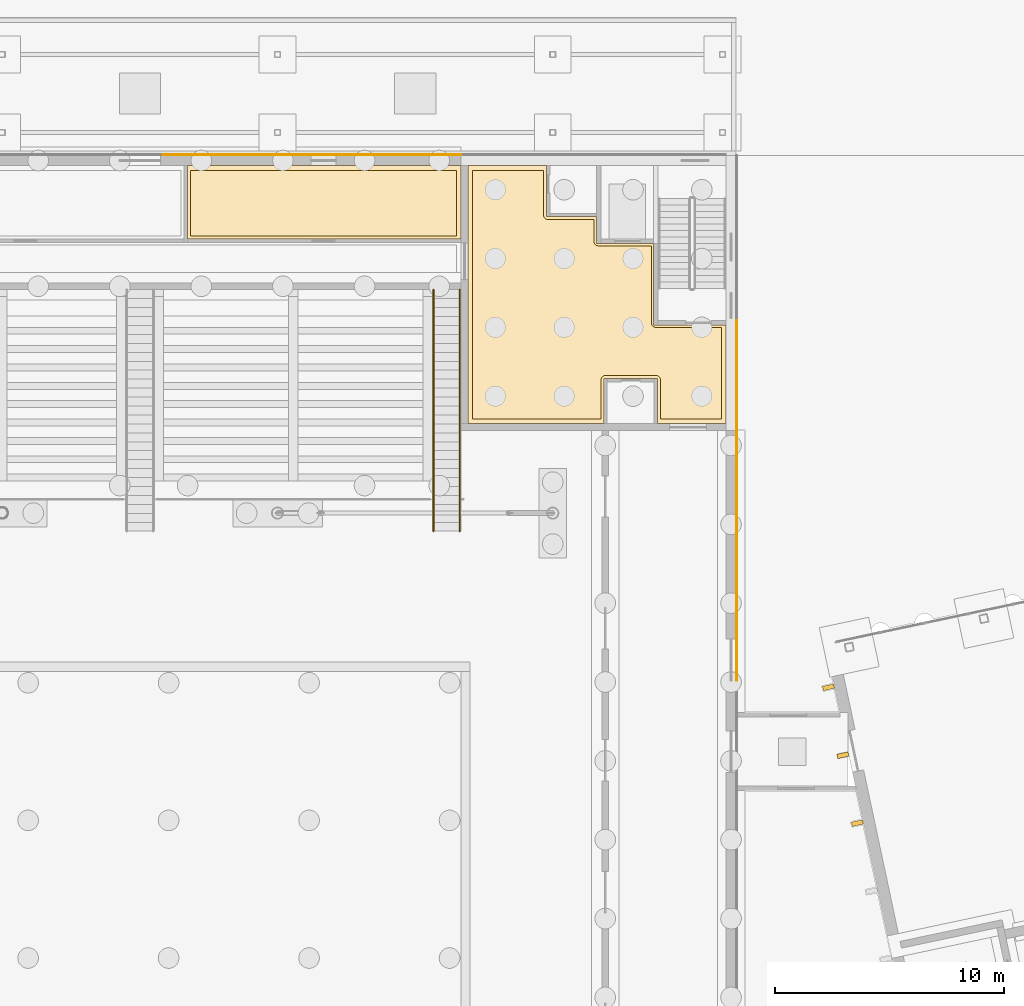
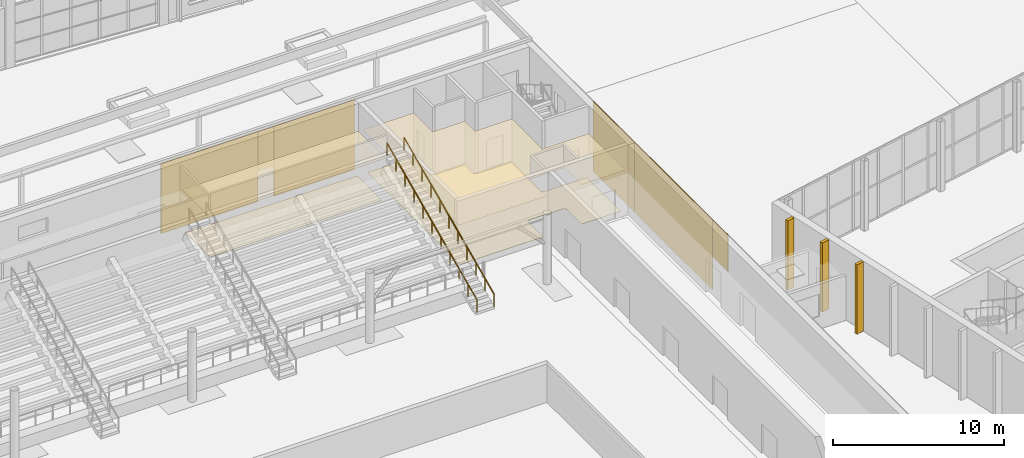
# One storey, part 150 of 157: 10 coverings, 3 shading devices, 2 railings.
"""IFC4 building model written with IfcOpenShell, lengths in metres."""

from ifc_helpers import new_model, si_unit, direction, frame, origin, origin_2d, place, context, subcontext, project, spatial, polyline, circle, outline, extrude, material, layer, layer_set, type_object, element, save


model = new_model("IFC4")

# Units and contexts
model_context = context("Model", 3, precision=1e-05, world=origin(), true_north=direction((0.0, 1.0)))
body_context = subcontext(model_context, "Body", "Model", "MODEL_VIEW")
ifc_project = project(units=[si_unit("LENGTHUNIT", "METRE"), si_unit("AREAUNIT", "SQUARE_METRE"), si_unit("VOLUMEUNIT", "CUBIC_METRE"), si_unit("PLANEANGLEUNIT", "RADIAN"), si_unit("MASSUNIT", "GRAM", prefix="KILO")], contexts=[model_context])

# Site, building, storey
site_placement = place(None, origin())
site = spatial("IfcSite", under=ifc_project, at=site_placement, CompositionType="ELEMENT")
building_placement = place(site_placement, origin())
building = spatial("IfcBuilding", under=site, at=building_placement, Name="Windward Yard Aquatics Centre", CompositionType="ELEMENT")
storey_placement = place(building_placement, origin())
storey = spatial("IfcBuildingStorey", under=building, at=storey_placement, Name="L00", CompositionType="ELEMENT", Elevation=0.0)

# Shading devices
ifc_material_1 = material(Name="Aluminium fin, powder coated", Category="aluminium")
shading_device_type = type_object("IfcShadingDeviceType", Name="D vertical fin 200x500", PredefinedType="USERDEFINED", material=ifc_material_1)
shading_device_1_placement = place(storey_placement, origin())
element("IfcShadingDevice", 1, at=shading_device_1_placement, inside=storey, type_object=shading_device_type, Name="Vertical fin D.W.W.L00.1.9", ObjectType="FIN", PredefinedType="USERDEFINED", context=body_context, shape_type="SweptSolid", body=[
    extrude(outline(polyline([(157.01708984375, 66.927001953125), (157.05859375, 66.731201171875), (157.547607421875, 66.835205078125), (157.506103515625, 67.031005859375), (157.01708984375, 66.927001953125)])), origin(), (0.0, 0.0, 1.0), 4.949951171875),
])
shading_device_2_placement = place(storey_placement, origin())
element("IfcShadingDevice", 2, at=shading_device_2_placement, inside=storey, type_object=shading_device_type, Name="Vertical fin D.W.W.L00.1.10", ObjectType="FIN", PredefinedType="USERDEFINED", context=body_context, shape_type="SweptSolid", body=[
    extrude(outline(polyline([(156.3876953125, 69.887939453125), (156.42919921875, 69.6923828125), (156.918212890625, 69.79638671875), (156.876708984375, 69.991943359375), (156.3876953125, 69.887939453125)])), origin(), (0.0, 0.0, 1.0), 4.949951171875),
])
shading_device_3_placement = place(storey_placement, origin())
element("IfcShadingDevice", 3, at=shading_device_3_placement, inside=storey, type_object=shading_device_type, Name="Vertical fin D.W.W.L00.1.11", ObjectType="FIN", PredefinedType="USERDEFINED", context=body_context, shape_type="SweptSolid", body=[
    extrude(outline(polyline([(155.75830078125, 72.84912109375), (155.7998046875, 72.653564453125), (156.288818359375, 72.757568359375), (156.247314453125, 72.953125), (155.75830078125, 72.84912109375)])), origin(), (0.0, 0.0, 1.0), 4.949951171875),
])

# Coverings
ifc_material_2 = material(Name="Polished screed")
ifc_layer_1 = layer(ifc_material_2, 0.0400390625)
ifc_layer_set_1 = layer_set([ifc_layer_1], Name="H Floor Finish Screed 40")
covering_type_1 = type_object("IfcCoveringType", Name="H Floor Finish Screed 40", PredefinedType="FLOORING", material=ifc_layer_set_1)
covering_1_placement = place(storey_placement, origin())
element("IfcCovering", 4, at=covering_1_placement, inside=storey, type_object=covering_type_1, Name="Core Lobby NE floor finish", PredefinedType="FLOORING", context=body_context, shape_type="SweptSolid", body=[
    extrude(outline(polyline([(140.5, 84.5), (140.5, 95.35009765625), (143.60009765625, 95.35009765625), (143.60009765625, 93.39990234375), (143.60107421875, 93.38037109375), (143.608642578125, 93.341796875), (143.62353515625, 93.3056640625), (143.6337890625, 93.288818359375), (143.65869140625, 93.258544921875), (143.68896484375, 93.233642578125), (143.723388671875, 93.215087890625), (143.741943359375, 93.20849609375), (143.780517578125, 93.200927734375), (143.800048828125, 93.199951171875), (145.800048828125, 93.199951171875), (145.801025390625, 92.23046875), (145.80859375, 92.19189453125), (145.815185546875, 92.173583984375), (145.833740234375, 92.138916015625), (145.845458984375, 92.123046875), (145.858642578125, 92.108642578125), (145.888916015625, 92.083740234375), (145.923583984375, 92.065185546875), (145.94189453125, 92.05859375), (145.98046875, 92.051025390625), (146.0, 92.050048828125), (148.300048828125, 92.050048828125), (148.300048828125, 88.699951171875), (148.3037109375, 88.660888671875), (148.315185546875, 88.62353515625), (148.333740234375, 88.5888671875), (148.358642578125, 88.55859375), (148.373046875, 88.54541015625), (148.40576171875, 88.523681640625), (148.44189453125, 88.508544921875), (148.48046875, 88.5009765625), (148.5, 88.5), (151.35009765625, 88.5), (151.35009765625, 84.5), (148.699951171875, 84.5), (148.698974609375, 86.219482421875), (148.69140625, 86.258056640625), (148.684814453125, 86.276611328125), (148.666259765625, 86.31103515625), (148.641357421875, 86.34130859375), (148.611083984375, 86.3662109375), (148.576416015625, 86.384765625), (148.5390625, 86.396240234375), (148.5, 86.39990234375), (146.300048828125, 86.39990234375), (146.280517578125, 86.39892578125), (146.241943359375, 86.391357421875), (146.205810546875, 86.37646484375), (146.173095703125, 86.3544921875), (146.15869140625, 86.34130859375), (146.1337890625, 86.31103515625), (146.115234375, 86.276611328125), (146.103759765625, 86.239013671875), (146.10009765625, 86.199951171875), (146.10009765625, 84.5), (140.5, 84.5)])), origin(), (0.0, 0.0, 1.0), 0.02001953125),
])
covering_2_placement = place(storey_placement, origin())
element("IfcCovering", 5, at=covering_2_placement, inside=storey, type_object=covering_type_1, Name="Broadcast Storage Room floor finish", PredefinedType="FLOORING", context=body_context, shape_type="SweptSolid", body=[
    extrude(outline(polyline([(128.199951171875, 92.47998046875), (128.199951171875, 95.35009765625), (139.800048828125, 95.35009765625), (139.800048828125, 92.47998046875), (128.199951171875, 92.47998046875)])), origin(), (0.0, 0.0, 1.0), 0.02001953125),
])

# Railings
ifc_material_3 = material(Name="Stainless steel 1.4529", Category="steel")
railing_type = type_object("IfcRailingType", Name="H Handrail Steel 900", PredefinedType="HANDRAIL", material=ifc_material_3)
for number, where, name in (
    (6, (138.800048828125, 79.6103515625, 0.1787109375), "Vomitory stair N7 handrail 1"),
    (7, (139.949951171875, 79.6103515625, 0.1787109375), "Vomitory stair N7 handrail 2"),
):
    element("IfcRailing", number, at=place(storey_placement, frame(where)), inside=storey, type_object=railing_type, Name=name, PredefinedType="HANDRAIL", context=body_context, shape_type="SweptSolid", body=[
        extrude(circle(Radius=0.02392578125, at=origin_2d()), frame((0.0, 0.0, 0.8759765625), z_axis=(0.0, 0.909227440193, 0.416299726158), x_axis=(-1.0, 0.0, 0.0)), (0.0, 0.0, 1.0), 11.581298828125),
        extrude(circle(Radius=0.02099609375, at=origin_2d()), origin(), (0.0, 0.0, 1.0), 0.851806640625),
        extrude(circle(Radius=0.02099609375, at=origin_2d()), frame((0.0, 1.052978515625, 0.482177734375)), (0.0, 0.0, 1.0), 0.851806640625),
        extrude(circle(Radius=0.02099609375, at=origin_2d()), frame((0.0, 2.10595703125, 0.96435546875)), (0.0, 0.0, 1.0), 0.851806640625),
        extrude(circle(Radius=0.02099609375, at=origin_2d()), frame((0.0, 3.158935546875, 1.4462890625)), (0.0, 0.0, 1.0), 0.851806640625),
        extrude(circle(Radius=0.02099609375, at=origin_2d()), frame((0.0, 4.2119140625, 1.928466796875)), (0.0, 0.0, 1.0), 0.851806640625),
        extrude(circle(Radius=0.02099609375, at=origin_2d()), frame((0.0, 5.26513671875, 2.41064453125)), (0.0, 0.0, 1.0), 0.851806640625),
        extrude(circle(Radius=0.02099609375, at=origin_2d()), frame((0.0, 6.318115234375, 2.892822265625)), (0.0, 0.0, 1.0), 0.851806640625),
        extrude(circle(Radius=0.02099609375, at=origin_2d()), frame((0.0, 7.37109375, 3.375)), (0.0, 0.0, 1.0), 0.851806640625),
        extrude(circle(Radius=0.02099609375, at=origin_2d()), frame((0.0, 8.424072265625, 3.85693359375)), (0.0, 0.0, 1.0), 0.851806640625),
        extrude(circle(Radius=0.02099609375, at=origin_2d()), frame((0.0, 9.47705078125, 4.339111328125)), (0.0, 0.0, 1.0), 0.851806640625),
        extrude(circle(Radius=0.02099609375, at=origin_2d()), frame((0.0, 10.530029296875, 4.8212890625)), (0.0, 0.0, 1.0), 0.851806640625),
    ])

# Coverings
ifc_material_4 = material(Name="Mineral fibre tile")
ifc_layer_2 = layer(ifc_material_4, 0.02001953125)
ifc_layer_set_2 = layer_set([ifc_layer_2], Name="H Suspended Ceiling 600 x 600")
covering_type_2 = type_object("IfcCoveringType", Name="H Suspended Ceiling 600 x 600", PredefinedType="CEILING", material=ifc_layer_set_2)
covering_3_placement = place(storey_placement, frame((0.0, 0.0, 3.0)))
element("IfcCovering", 8, at=covering_3_placement, inside=storey, type_object=covering_type_2, Name="Core Lobby NE ceiling", PredefinedType="CEILING", context=body_context, shape_type="SweptSolid", body=[
    extrude(outline(polyline([(140.300537109375, 84.300537109375), (140.300537109375, 95.549560546875), (143.724609375, 95.549560546875), (143.724609375, 93.324951171875), (145.8994140625, 93.324462890625), (145.8994140625, 92.14990234375), (148.3994140625, 92.1494140625), (148.3994140625, 88.60009765625), (151.549560546875, 88.599609375), (151.549560546875, 84.300537109375), (148.575439453125, 84.300537109375), (148.575439453125, 86.27490234375), (146.224609375, 86.27490234375), (146.224609375, 84.300537109375), (140.300537109375, 84.300537109375)])), origin(), (0.0, 0.0, 1.0), 0.02001953125),
])
covering_4_placement = place(storey_placement, frame((0.0, 0.0, 3.0)))
element("IfcCovering", 9, at=covering_4_placement, inside=storey, type_object=covering_type_2, Name="Broadcast Storage Room ceiling", PredefinedType="CEILING", context=body_context, shape_type="SweptSolid", body=[
    extrude(outline(polyline([(128.075439453125, 92.35546875), (128.075439453125, 95.549560546875), (139.99951171875, 95.549560546875), (139.99951171875, 92.35546875), (128.075439453125, 92.35546875)])), origin(), (0.0, 0.0, 1.0), 0.02001953125),
])
ifc_material_5 = material(Name="Natural limestone cladding", Category="masonry")
ifc_layer_3 = layer(ifc_material_5, 0.0400390625)
ifc_layer_set_3 = layer_set([ifc_layer_3], Name="H natural stone cladding 40")
covering_type_3 = type_object("IfcCoveringType", Name="H natural stone cladding 40", PredefinedType="CLADDING", material=ifc_layer_set_3)
covering_5_placement = place(storey_placement, origin())
element("IfcCovering", 10, at=covering_5_placement, inside=storey, type_object=covering_type_3, Name="Stone cladding panel 17", PredefinedType="CLADDING", context=body_context, shape_type="SweptSolid", body=[
    extrude(outline(polyline([(152.0, 84.0), (152.0400390625, 84.0), (152.0400390625, 88.89990234375), (152.0, 88.89990234375), (152.0, 84.0)])), origin(), (0.0, 0.0, 1.0), 5.0),
])
covering_6_placement = place(storey_placement, frame((0.0, 0.0, 2.39990234375)))
element("IfcCovering", 11, at=covering_6_placement, inside=storey, type_object=covering_type_3, Name="Stone cladding panel 164", PredefinedType="CLADDING", context=body_context, shape_type="SweptSolid", body=[
    extrude(outline(polyline([(152.0, 73.10009765625), (152.0, 74.89990234375), (152.0400390625, 74.89990234375), (152.0400390625, 73.10009765625), (152.0, 73.10009765625)])), origin(), (0.0, 0.0, 1.0), 2.60009765625),
])
covering_7_placement = place(storey_placement, origin())
element("IfcCovering", 12, at=covering_7_placement, inside=storey, type_object=covering_type_3, Name="Stone cladding panel 165", PredefinedType="CLADDING", context=body_context, shape_type="SweptSolid", body=[
    extrude(outline(polyline([(152.0, 74.89990234375), (152.0, 84.0), (152.0400390625, 84.0), (152.0400390625, 74.89990234375), (152.0, 74.89990234375)])), origin(), (0.0, 0.0, 1.0), 5.0),
])
covering_8_placement = place(storey_placement, origin())
element("IfcCovering", 13, at=covering_8_placement, inside=storey, type_object=covering_type_3, Name="Stone cladding panel 185", PredefinedType="CLADDING", context=body_context, shape_type="SweptSolid", body=[
    extrude(outline(polyline([(126.89990234375, 96.0), (133.449951171875, 96.0), (133.449951171875, 96.0400390625), (126.89990234375, 96.0400390625), (126.89990234375, 96.0)])), origin(), (0.0, 0.0, 1.0), 5.0),
])
covering_9_placement = place(storey_placement, frame((0.0, 0.0, 2.199951171875)))
element("IfcCovering", 14, at=covering_9_placement, inside=storey, type_object=covering_type_3, Name="Stone cladding panel 186", PredefinedType="CLADDING", context=body_context, shape_type="SweptSolid", body=[
    extrude(outline(polyline([(133.449951171875, 96.0), (134.550048828125, 96.0), (134.550048828125, 96.0400390625), (133.449951171875, 96.0400390625), (133.449951171875, 96.0)])), origin(), (0.0, 0.0, 1.0), 2.800048828125),
])
covering_10_placement = place(storey_placement, origin())
element("IfcCovering", 15, at=covering_10_placement, inside=storey, type_object=covering_type_3, Name="Stone cladding panel 187", PredefinedType="CLADDING", context=body_context, shape_type="SweptSolid", body=[
    extrude(outline(polyline([(134.550048828125, 96.0), (140.0, 96.0), (140.0, 96.0400390625), (134.550048828125, 96.0400390625), (134.550048828125, 96.0)])), origin(), (0.0, 0.0, 1.0), 5.0),
])

save(model, "model.ifc")
